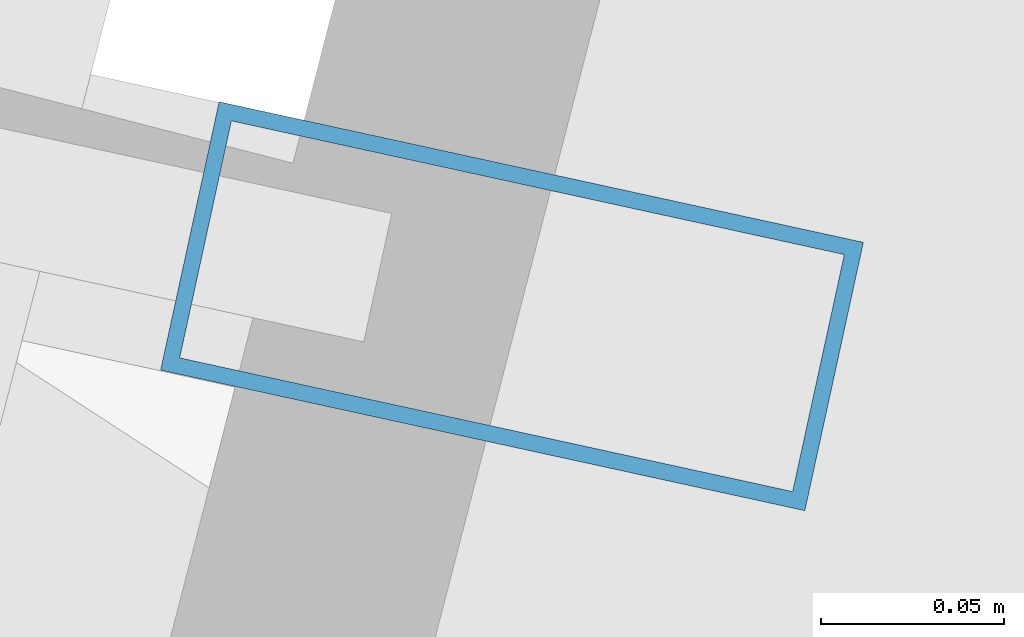
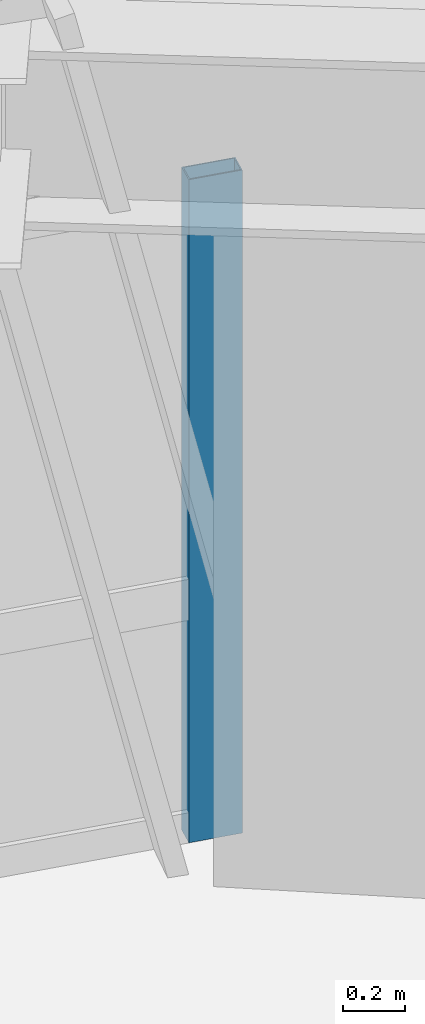
# One storey, part 11 of 21: 1 member, 1 element without a shape of its own.
"""IFC4 building model written with IfcOpenShell, lengths in metres."""

from ifc_helpers import new_model, si_unit, direction, frame, origin, origin_2d, place, context, subcontext, project, spatial, hollow_rectangle, extrude, source, transform, mapped, material, material_profile, profile_set, type_object, element, aggregate, save


model = new_model("IFC4")

# Units and contexts
model_context = context("Model", 3, precision=1e-05, world=origin(), true_north=direction((0.0, 1.0)))
body_context = subcontext(model_context, "Body", "Model", "MODEL_VIEW")
ifc_project = project(units=[si_unit("LENGTHUNIT", "METRE"), si_unit("AREAUNIT", "SQUARE_METRE"), si_unit("VOLUMEUNIT", "CUBIC_METRE"), si_unit("PLANEANGLEUNIT", "RADIAN"), si_unit("MASSUNIT", "GRAM", prefix="KILO")], contexts=[model_context])

# Site, building, storey
site_placement = place(None, origin())
site = spatial("IfcSite", under=ifc_project, at=site_placement, CompositionType="ELEMENT")
building_placement = place(site_placement, origin())
building = spatial("IfcBuilding", under=site, at=building_placement, Name="Olszyna Solenne Hotel", CompositionType="ELEMENT")
storey_placement = place(building_placement, frame((0.0, 0.0, 39.949951171875)))
storey = spatial("IfcBuildingStorey", under=building, at=storey_placement, Name="L09", CompositionType="ELEMENT", Elevation=39.949951171875)

# Curtain wall, member
ifc_material = material(Name="Anodised bronze aluminium", Category="aluminium")
curtain_wall_type = type_object("IfcCurtainWallType", Name="CW-SYS-2", PredefinedType="NOTDEFINED", material=ifc_material)
curtain_wall_placement = place(storey_placement, origin())
curtain_wall = element("IfcCurtainWall", 1, at=curtain_wall_placement, inside=storey, type_object=curtain_wall_type, Name="Unitised curtain wall CW-SYS-2 CW-L09-02", PredefinedType="NOTDEFINED")
ifc_material_profile = material_profile(ifc_material, hollow_rectangle(XDim=0.074951171875, YDim=0.179931640625, WallThickness=0.00439453125, at=origin_2d()), Name="MULL 180x75x4.5", Category="load-bearing")
ifc_profile_set = profile_set([ifc_material_profile], Name="Anodised bronze aluminium")
member_type = type_object("IfcMemberType", Name="CW-M2", PredefinedType="MULLION", material=ifc_profile_set)
shared_shape = source(origin(), body_context, "Body", "SweptSolid", [
    extrude(hollow_rectangle(XDim=0.074951171875, YDim=0.179931640625, WallThickness=0.00439453125, at=origin_2d()), origin(), (0.0, 0.0, 1.0), 2.592041015625),
])
member_placement = place(storey_placement, frame((49.375244140625, 43.023193359375, 0.0), z_axis=(0.0, 0.0, 1.0), x_axis=(0.213104027523, 0.977029515139, 0.0)))
member = element("IfcMember", 2, at=member_placement, type_object=member_type, Name="Curtain-wall mullion CW-M2 CM-L09-02-04", PredefinedType="MULLION", context=body_context, shape_type="MappedRepresentation", body=[
    mapped(shared_shape, transform((0.0, 0.0, 0.0), x_axis=(1.0, 0.0, 0.0), y_axis=(0.0, 1.0, 0.0), z_axis=(0.0, 0.0, 1.0), scale=1.0)),
])
aggregate(curtain_wall, [member])

save(model, "model.ifc")
